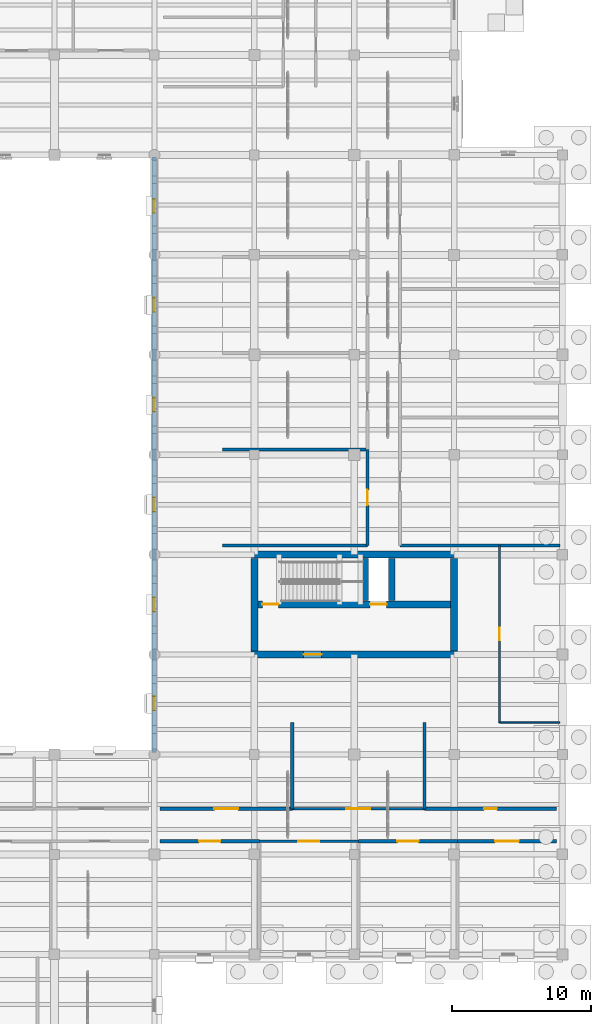
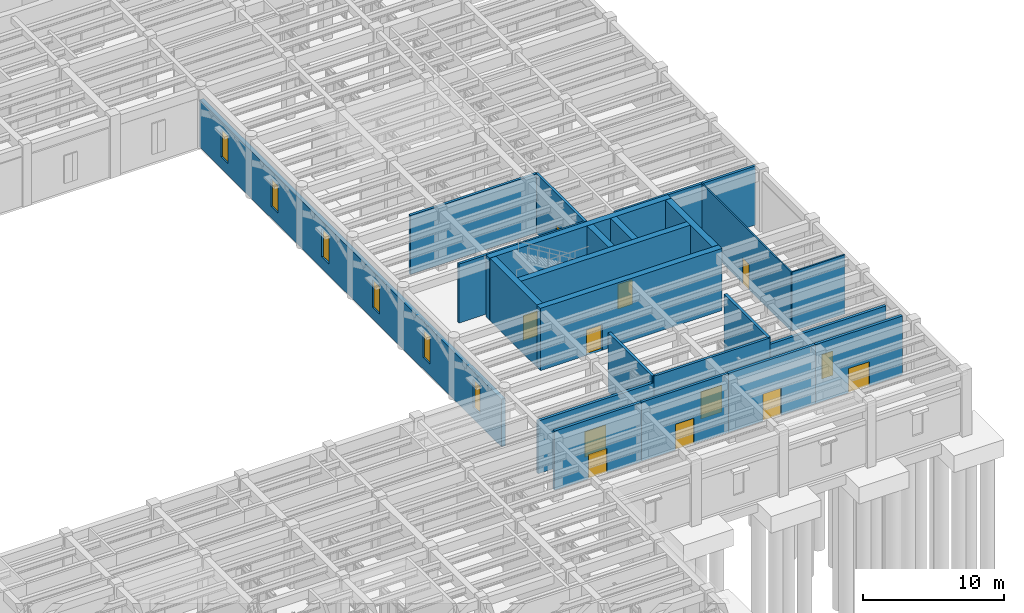
# One storey, part 82 of 100: 23 walls, 12 doors, 6 windows, 18 openings.
"""IFC4 building model written with IfcOpenShell, lengths in metres."""

from ifc_helpers import new_model, si_unit, direction, frame, frame_2d, origin, place, context, subcontext, project, spatial, rectangle, extrude, material, layer, layer_set, type_object, element, fill, save


model = new_model("IFC4")

# Units and contexts
model_context = context("Model", 3, precision=1e-05, world=origin(), true_north=direction((0.0, 1.0)))
body_context = subcontext(model_context, "Body", "Model", "MODEL_VIEW")
ifc_project = project(units=[si_unit("LENGTHUNIT", "METRE"), si_unit("AREAUNIT", "SQUARE_METRE"), si_unit("VOLUMEUNIT", "CUBIC_METRE"), si_unit("PLANEANGLEUNIT", "RADIAN"), si_unit("MASSUNIT", "GRAM", prefix="KILO")], contexts=[model_context])

# Site, building, storey
site_placement = place(None, origin())
site = spatial("IfcSite", under=ifc_project, at=site_placement, CompositionType="ELEMENT")
building_placement = place(site_placement, origin())
building = spatial("IfcBuilding", under=site, at=building_placement, Name="Mithqara Police Headquarters", CompositionType="ELEMENT")
storey_placement = place(building_placement, origin())
storey = spatial("IfcBuildingStorey", under=building, at=storey_placement, Name="L00", CompositionType="ELEMENT", Elevation=0.0)

# Wall, openings, windows
ifc_material_1 = material(Name="Limestone ashlar masonry, 45 MPa", Category="masonry")
ifc_layer_1 = layer(ifc_material_1, 0.320068359375, Name="Limestone ashlar masonry, 45 MPa")
ifc_layer_set_1 = layer_set([ifc_layer_1], Name="Limestone ashlar masonry, 45 MPa")
wall_type_1 = type_object("IfcWallType", Name="EXT WALL LIMESTONE320", PredefinedType="SOLIDWALL", material=ifc_layer_set_1)
wall_1_placement = place(storey_placement, frame((144.60009765625, 78.43994140625, 0.0), z_axis=(0.0, 0.0, 1.0), x_axis=(0.0, -1.0, 0.0)))
wall_1 = element("IfcWall", 1, at=wall_1_placement, inside=storey, type_object=wall_type_1, Name="L00 Exterior Wall 4.1", PredefinedType="SOLIDWALL", context=body_context, shape_type="SweptSolid", body=[
    extrude(rectangle(XDim=42.8798828125, YDim=0.320068359375, at=frame_2d((21.43994140625, 0.0))), origin(), (0.0, 0.0, 1.0), 4.1201171875),
])
opening_1_placement = place(wall_1_placement, frame((38.860107421875, 0.0, 1.0)))
opening_1 = element("IfcOpeningElement", 2, at=opening_1_placement, cuts=wall_1, Name="Opening W-10", PredefinedType="OPENING", context=body_context, shape_type="SweptSolid", body=[
    extrude(rectangle(XDim=1.0, YDim=2.39990234375, at=frame_2d((0.5, 1.199951171875))), frame((0.0, 0.169921875, 0.0), z_axis=(0.0, -1.0, 0.0), x_axis=(1.0, 0.0, 0.0)), (0.0, 0.0, 1.0), 0.340087890625),
])
opening_2_placement = place(wall_1_placement, frame((31.739990234375, 0.0, 1.0)))
opening_2 = element("IfcOpeningElement", 3, at=opening_2_placement, cuts=wall_1, Name="Opening W-10", PredefinedType="OPENING", context=body_context, shape_type="SweptSolid", body=[
    extrude(rectangle(XDim=1.0, YDim=2.39990234375, at=frame_2d((0.5, 1.199951171875))), frame((0.0, 0.169921875, 0.0), z_axis=(0.0, -1.0, 0.0), x_axis=(1.0, 0.0, 0.0)), (0.0, 0.0, 1.0), 0.340087890625),
])
opening_3_placement = place(wall_1_placement, frame((24.5400390625, 0.0, 1.0)))
opening_3 = element("IfcOpeningElement", 4, at=opening_3_placement, cuts=wall_1, Name="Opening W-10", PredefinedType="OPENING", context=body_context, shape_type="SweptSolid", body=[
    extrude(rectangle(XDim=1.0, YDim=2.39990234375, at=frame_2d((0.5, 1.199951171875))), frame((0.0, 0.169921875, 0.0), z_axis=(0.0, -1.0, 0.0), x_axis=(1.0, 0.0, 0.0)), (0.0, 0.0, 1.0), 0.340087890625),
])
opening_4_placement = place(wall_1_placement, frame((17.340087890625, 0.0, 1.0)))
opening_4 = element("IfcOpeningElement", 5, at=opening_4_placement, cuts=wall_1, Name="Opening W-10", PredefinedType="OPENING", context=body_context, shape_type="SweptSolid", body=[
    extrude(rectangle(XDim=1.0, YDim=2.39990234375, at=frame_2d((0.5, 1.199951171875))), frame((0.0, 0.169921875, 0.0), z_axis=(0.0, -1.0, 0.0), x_axis=(1.0, 0.0, 0.0)), (0.0, 0.0, 1.0), 0.340087890625),
])
opening_5_placement = place(wall_1_placement, frame((10.139892578125, 0.0, 1.0)))
opening_5 = element("IfcOpeningElement", 6, at=opening_5_placement, cuts=wall_1, Name="Opening W-10", PredefinedType="OPENING", context=body_context, shape_type="SweptSolid", body=[
    extrude(rectangle(XDim=1.0, YDim=2.39990234375, at=frame_2d((0.5, 1.199951171875))), frame((0.0, 0.169921875, 0.0), z_axis=(0.0, -1.0, 0.0), x_axis=(1.0, 0.0, 0.0)), (0.0, 0.0, 1.0), 0.340087890625),
])
opening_6_placement = place(wall_1_placement, frame((3.02001953125, 0.0, 1.0)))
opening_6 = element("IfcOpeningElement", 7, at=opening_6_placement, cuts=wall_1, Name="Opening W-10", PredefinedType="OPENING", context=body_context, shape_type="SweptSolid", body=[
    extrude(rectangle(XDim=1.0, YDim=2.39990234375, at=frame_2d((0.5, 1.199951171875))), frame((0.0, 0.169921875, 0.0), z_axis=(0.0, -1.0, 0.0), x_axis=(1.0, 0.0, 0.0)), (0.0, 0.0, 1.0), 0.340087890625),
])
ifc_material_2 = material(Name="Spectrally selective double low-e glass", Category="glass")
window_type = type_object("IfcWindowType", Name="WINDOW 1000X2400", PartitioningType="SINGLE_PANEL", PredefinedType="WINDOW", material=ifc_material_2)
window_1_placement = place(opening_1_placement, origin())
window_1 = element("IfcWindow", 8, at=window_1_placement, inside=storey, type_object=window_type, Name="L00 Deep-Set Punched Window 4.1", OverallHeight=2.39990234375, OverallWidth=1.0, PartitioningType="SINGLE_PANEL", PredefinedType="WINDOW", context=body_context, shape_type="SweptSolid", body=[
    extrude(rectangle(XDim=1.0, YDim=2.39990234375, at=frame_2d((0.5, 1.199951171875))), frame((0.0, 0.030029296875, 0.0), z_axis=(0.0, -1.0, 0.0), x_axis=(1.0, 0.0, 0.0)), (0.0, 0.0, 1.0), 0.06005859375),
])
fill(opening_1, window_1)
window_2_placement = place(opening_2_placement, origin())
window_2 = element("IfcWindow", 9, at=window_2_placement, inside=storey, type_object=window_type, Name="L00 Deep-Set Punched Window 4.2", OverallHeight=2.39990234375, OverallWidth=1.0, PartitioningType="SINGLE_PANEL", PredefinedType="WINDOW", context=body_context, shape_type="SweptSolid", body=[
    extrude(rectangle(XDim=1.0, YDim=2.39990234375, at=frame_2d((0.5, 1.199951171875))), frame((0.0, 0.030029296875, 0.0), z_axis=(0.0, -1.0, 0.0), x_axis=(1.0, 0.0, 0.0)), (0.0, 0.0, 1.0), 0.06005859375),
])
fill(opening_2, window_2)
window_3_placement = place(opening_3_placement, origin())
window_3 = element("IfcWindow", 10, at=window_3_placement, inside=storey, type_object=window_type, Name="L00 Deep-Set Punched Window 4.3", OverallHeight=2.39990234375, OverallWidth=1.0, PartitioningType="SINGLE_PANEL", PredefinedType="WINDOW", context=body_context, shape_type="SweptSolid", body=[
    extrude(rectangle(XDim=1.0, YDim=2.39990234375, at=frame_2d((0.5, 1.199951171875))), frame((0.0, 0.030029296875, 0.0), z_axis=(0.0, -1.0, 0.0), x_axis=(1.0, 0.0, 0.0)), (0.0, 0.0, 1.0), 0.06005859375),
])
fill(opening_3, window_3)
window_4_placement = place(opening_4_placement, origin())
window_4 = element("IfcWindow", 11, at=window_4_placement, inside=storey, type_object=window_type, Name="L00 Deep-Set Punched Window 4.4", OverallHeight=2.39990234375, OverallWidth=1.0, PartitioningType="SINGLE_PANEL", PredefinedType="WINDOW", context=body_context, shape_type="SweptSolid", body=[
    extrude(rectangle(XDim=1.0, YDim=2.39990234375, at=frame_2d((0.5, 1.199951171875))), frame((0.0, 0.030029296875, 0.0), z_axis=(0.0, -1.0, 0.0), x_axis=(1.0, 0.0, 0.0)), (0.0, 0.0, 1.0), 0.06005859375),
])
fill(opening_4, window_4)
window_5_placement = place(opening_5_placement, origin())
window_5 = element("IfcWindow", 12, at=window_5_placement, inside=storey, type_object=window_type, Name="L00 Deep-Set Punched Window 4.5", OverallHeight=2.39990234375, OverallWidth=1.0, PartitioningType="SINGLE_PANEL", PredefinedType="WINDOW", context=body_context, shape_type="SweptSolid", body=[
    extrude(rectangle(XDim=1.0, YDim=2.39990234375, at=frame_2d((0.5, 1.199951171875))), frame((0.0, 0.030029296875, 0.0), z_axis=(0.0, -1.0, 0.0), x_axis=(1.0, 0.0, 0.0)), (0.0, 0.0, 1.0), 0.06005859375),
])
fill(opening_5, window_5)
window_6_placement = place(opening_6_placement, origin())
window_6 = element("IfcWindow", 13, at=window_6_placement, inside=storey, type_object=window_type, Name="L00 Deep-Set Punched Window 4.6", OverallHeight=2.39990234375, OverallWidth=1.0, PartitioningType="SINGLE_PANEL", PredefinedType="WINDOW", context=body_context, shape_type="SweptSolid", body=[
    extrude(rectangle(XDim=1.0, YDim=2.39990234375, at=frame_2d((0.5, 1.199951171875))), frame((0.0, 0.030029296875, 0.0), z_axis=(0.0, -1.0, 0.0), x_axis=(1.0, 0.0, 0.0)), (0.0, 0.0, 1.0), 0.06005859375),
])
fill(opening_6, window_6)

# Wall
ifc_material_3 = material(Name="Gypsum acoustic stud partition", Category="gypsum")
ifc_layer_2 = layer(ifc_material_3, 0.1201171875, Name="Gypsum acoustic stud partition")
ifc_layer_set_2 = layer_set([ifc_layer_2], Name="Gypsum acoustic stud partition")
wall_type_2 = type_object("IfcWallType", Name="PART WALL 120", PredefinedType="PARTITIONING", material=ifc_layer_set_2)
wall_2_placement = place(storey_placement, frame((169.469970703125, 37.699951171875, 0.0), z_axis=(0.0, 0.0, 1.0), x_axis=(1.0, 0.0, 0.0)))
element("IfcWall", 14, at=wall_2_placement, inside=storey, type_object=wall_type_2, Name="L00 Partition End Closure E0", PredefinedType="PARTITIONING", context=body_context, shape_type="SweptSolid", body=[
    extrude(rectangle(XDim=4.35009765625, YDim=0.1201171875, at=frame_2d((2.175048828125, 0.0))), origin(), (0.0, 0.0, 1.0), 5.1201171875),
])

# Wall, opening, door
wall_3_placement = place(storey_placement, frame((169.469970703125, 37.699951171875, 0.0), z_axis=(0.0, 0.0, 1.0), x_axis=(0.0, 1.0, 0.0)))
wall_3 = element("IfcWall", 15, at=wall_3_placement, inside=storey, type_object=wall_type_2, Name="L00 Corridor Wall Forensic Evidence Intake", PredefinedType="PARTITIONING", context=body_context, shape_type="SweptSolid", body=[
    extrude(rectangle(XDim=12.75, YDim=0.1201171875, at=frame_2d((6.375, 0.0))), origin(), (0.0, 0.0, 1.0), 5.1201171875),
])
opening_7_placement = place(wall_3_placement, frame((5.9150390625, 0.0, 0.0)))
opening_7 = element("IfcOpeningElement", 16, at=opening_7_placement, cuts=wall_3, Name="Opening D-02", PredefinedType="OPENING", context=body_context, shape_type="SweptSolid", body=[
    extrude(rectangle(XDim=0.919921875, YDim=2.219970703125, at=frame_2d((0.4599609375, 1.10986328125))), frame((0.0, 0.070068359375, 0.0), z_axis=(0.0, -1.0, 0.0), x_axis=(1.0, 0.0, 0.0)), (0.0, 0.0, 1.0), 0.14013671875),
])
ifc_material_4 = material(Name="Acoustic solid-core timber leaf", Category="wood")
door_type_1 = type_object("IfcDoorType", Name="INT DOOR 920X2220", OperationType="NOTDEFINED", PredefinedType="DOOR", material=ifc_material_4)
door_1_placement = place(opening_7_placement, origin())
door_1 = element("IfcDoor", 17, at=door_1_placement, inside=storey, type_object=door_type_1, Name="Forensic Evidence Intake Entry Door", OperationType="SINGLE_SWING_LEFT", OverallHeight=2.219970703125, OverallWidth=0.919921875, PredefinedType="DOOR", context=body_context, shape_type="SweptSolid", body=[
    extrude(rectangle(XDim=0.919921875, YDim=2.219970703125, at=frame_2d((0.4599609375, 1.10986328125))), frame((0.0, 0.02490234375, 0.0), z_axis=(0.0, -1.0, 0.0), x_axis=(1.0, 0.0, 0.0)), (0.0, 0.0, 1.0), 0.050048828125),
])
fill(opening_7, door_1)

# Wall
ifc_material_5 = material(Name="Concrete C40/50", Category="concrete")
ifc_layer_3 = layer(ifc_material_5, 0.2099609375, Name="Concrete C40/50")
ifc_layer_set_3 = layer_set([ifc_layer_3], Name="Concrete C40/50")
wall_type_3 = type_object("IfcWallType", Name="PART WALL 210", PredefinedType="PARTITIONING", material=ifc_layer_set_3)
wall_4_placement = place(storey_placement, frame((149.5, 50.449951171875, 0.0), z_axis=(0.0, 0.0, 1.0), x_axis=(1.0, 0.0, 0.0)))
element("IfcWall", 18, at=wall_4_placement, inside=storey, type_object=wall_type_3, Name="L00 Partition End Closure E0", PredefinedType="PARTITIONING", context=body_context, shape_type="SweptSolid", body=[
    extrude(rectangle(XDim=10.449951171875, YDim=0.2099609375, at=frame_2d((5.22509765625, 0.0))), origin(), (0.0, 0.0, 1.0), 5.1201171875),
])

# Wall, opening, door
wall_5_placement = place(storey_placement, frame((159.949951171875, 50.449951171875, 0.0), z_axis=(0.0, 0.0, 1.0), x_axis=(0.0, 1.0, 0.0)))
wall_5 = element("IfcWall", 19, at=wall_5_placement, inside=storey, type_object=wall_type_3, Name="L00 Corridor Wall Forensic Evidence Intake", PredefinedType="PARTITIONING", context=body_context, shape_type="SweptSolid", body=[
    extrude(rectangle(XDim=6.93310546875, YDim=0.2099609375, at=frame_2d((3.466552734375, 0.0))), origin(), (0.0, 0.0, 1.0), 5.1201171875),
])
opening_8_placement = place(wall_5_placement, frame((2.91650390625, 0.0, 0.0)))
opening_8 = element("IfcOpeningElement", 20, at=opening_8_placement, cuts=wall_5, Name="Opening D-12", PredefinedType="OPENING", context=body_context, shape_type="SweptSolid", body=[
    extrude(rectangle(XDim=1.10009765625, YDim=2.35009765625, at=frame_2d((0.550048828125, 1.175048828125))), frame((0.0, 0.114990234375, 0.0), z_axis=(0.0, -1.0, 0.0), x_axis=(1.0, 0.0, 0.0)), (0.0, 0.0, 1.0), 0.22998046875),
])
door_type_2 = type_object("IfcDoorType", Name="INT DOOR 1100X2350", OperationType="NOTDEFINED", PredefinedType="DOOR", material=ifc_material_4)
door_2_placement = place(opening_8_placement, frame((1.10009765625, 0.0, 0.0), z_axis=(0.0, 0.0, 1.0), x_axis=(-1.0, 0.0, 0.0)))
door_2 = element("IfcDoor", 21, at=door_2_placement, inside=storey, type_object=door_type_2, Name="Forensic Evidence Intake Entry Door", OperationType="SINGLE_SWING_LEFT", OverallHeight=2.35009765625, OverallWidth=1.10009765625, PredefinedType="DOOR", context=body_context, shape_type="SweptSolid", body=[
    extrude(rectangle(XDim=1.10009765625, YDim=2.35009765625, at=frame_2d((0.550048828125, 1.175048828125))), frame((0.0, 0.02490234375, 0.0), z_axis=(0.0, -1.0, 0.0), x_axis=(1.0, 0.0, 0.0)), (0.0, 0.0, 1.0), 0.050048828125),
])
fill(opening_8, door_2)

# Walls
wall_6_placement = place(storey_placement, frame((149.5, 57.383056640625, 0.0), z_axis=(0.0, 0.0, 1.0), x_axis=(1.0, 0.0, 0.0)))
element("IfcWall", 22, at=wall_6_placement, inside=storey, type_object=wall_type_3, Name="L00 Room Partition Forensic Evidence Intake", PredefinedType="PARTITIONING", context=body_context, shape_type="SweptSolid", body=[
    extrude(rectangle(XDim=10.449951171875, YDim=0.2099609375, at=frame_2d((5.22509765625, 0.0))), origin(), (0.0, 0.0, 1.0), 5.1201171875),
])
wall_7_placement = place(storey_placement, frame((162.2900390625, 50.449951171875, 0.0), z_axis=(0.0, 0.0, 1.0), x_axis=(1.0, 0.0, 0.0)))
element("IfcWall", 23, at=wall_7_placement, inside=storey, type_object=wall_type_3, Name="L00 Partition End Closure E0", PredefinedType="PARTITIONING", context=body_context, shape_type="SweptSolid", body=[
    extrude(rectangle(XDim=11.530029296875, YDim=0.2099609375, at=frame_2d((5.76513671875, 0.0))), origin(), (0.0, 0.0, 1.0), 5.1201171875),
])

# Wall, opening, door
wall_8_placement = place(storey_placement, frame((152.159912109375, 29.14990234375, 0.0), z_axis=(0.0, 0.0, 1.0), x_axis=(1.0, 0.0, 0.0)))
wall_8 = element("IfcWall", 24, at=wall_8_placement, inside=storey, type_object=wall_type_3, Name="L00 Corridor Wall Chain of Custody Vault", PredefinedType="PARTITIONING", context=body_context, shape_type="SweptSolid", body=[
    extrude(rectangle(XDim=7.14013671875, YDim=0.2099609375, at=frame_2d((3.570068359375, 0.0))), origin(), (0.0, 0.0, 1.0), 5.1201171875),
])
opening_9_placement = place(wall_8_placement, frame((2.81005859375, 0.0, 0.0)))
opening_9 = element("IfcOpeningElement", 25, at=opening_9_placement, cuts=wall_8, Name="Opening D-20", PredefinedType="OPENING", context=body_context, shape_type="SweptSolid", body=[
    extrude(rectangle(XDim=1.52001953125, YDim=2.219970703125, at=frame_2d((0.760009765625, 1.10986328125))), frame((0.0, 0.114990234375, 0.0), z_axis=(0.0, -1.0, 0.0), x_axis=(1.0, 0.0, 0.0)), (0.0, 0.0, 1.0), 0.22998046875),
])
ifc_material_6 = material(Name="Bronze anodised aluminium 6063-T6", Category="aluminium")
door_type_3 = type_object("IfcDoorType", Name="INT DOOR 1520X2220", OperationType="NOTDEFINED", PredefinedType="DOOR", material=ifc_material_6)
door_3_placement = place(opening_9_placement, frame((1.52001953125, 0.0, 0.0), z_axis=(0.0, 0.0, 1.0), x_axis=(-1.0, 0.0, 0.0)))
door_3 = element("IfcDoor", 26, at=door_3_placement, inside=storey, type_object=door_type_3, Name="Chain of Custody Vault Entry Door", OperationType="DOUBLE_DOOR_SINGLE_SWING", OverallHeight=2.219970703125, OverallWidth=1.52001953125, PredefinedType="DOOR", context=body_context, shape_type="SweptSolid", body=[
    extrude(rectangle(XDim=1.52001953125, YDim=2.219970703125, at=frame_2d((0.760009765625, 1.10986328125))), frame((0.0, 0.02490234375, 0.0), z_axis=(0.0, -1.0, 0.0), x_axis=(1.0, 0.0, 0.0)), (0.0, 0.0, 1.0), 0.050048828125),
])
fill(opening_9, door_3)

wall_9_placement = place(storey_placement, frame((154.5400390625, 31.489990234375, 0.0), z_axis=(0.0, 0.0, 1.0), x_axis=(1.0, 0.0, 0.0)))
wall_9 = element("IfcWall", 27, at=wall_9_placement, inside=storey, type_object=wall_type_3, Name="L00 Corridor Wall Chain of Custody Vault", PredefinedType="PARTITIONING", context=body_context, shape_type="SweptSolid", body=[
    extrude(rectangle(XDim=9.52001953125, YDim=0.2099609375, at=frame_2d((4.760009765625, 0.0))), origin(), (0.0, 0.0, 1.0), 5.1201171875),
])
opening_10_placement = place(wall_9_placement, frame((3.89990234375, 0.0, 0.0)))
opening_10 = element("IfcOpeningElement", 28, at=opening_10_placement, cuts=wall_9, Name="Opening D-24", PredefinedType="OPENING", context=body_context, shape_type="SweptSolid", body=[
    extrude(rectangle(XDim=1.719970703125, YDim=2.35009765625, at=frame_2d((0.85986328125, 1.175048828125))), frame((0.0, 0.114990234375, 0.0), z_axis=(0.0, -1.0, 0.0), x_axis=(1.0, 0.0, 0.0)), (0.0, 0.0, 1.0), 0.22998046875),
])
door_type_4 = type_object("IfcDoorType", Name="INT DOOR 1720X2350", OperationType="NOTDEFINED", PredefinedType="DOOR", material=ifc_material_6)
door_4_placement = place(opening_10_placement, origin())
door_4 = element("IfcDoor", 29, at=door_4_placement, inside=storey, type_object=door_type_4, Name="Chain of Custody Vault Entry Door", OperationType="DOUBLE_DOOR_SINGLE_SWING", OverallHeight=2.35009765625, OverallWidth=1.719970703125, PredefinedType="DOOR", context=body_context, shape_type="SweptSolid", body=[
    extrude(rectangle(XDim=1.719970703125, YDim=2.35009765625, at=frame_2d((0.85986328125, 1.175048828125))), frame((0.0, 0.02490234375, 0.0), z_axis=(0.0, -1.0, 0.0), x_axis=(1.0, 0.0, 0.0)), (0.0, 0.0, 1.0), 0.050048828125),
])
fill(opening_10, door_4)

ifc_layer_4 = layer(ifc_material_5, 0.22998046875, Name="Concrete C40/50")
ifc_layer_set_4 = layer_set([ifc_layer_4], Name="Concrete C40/50")
wall_type_4 = type_object("IfcWallType", Name="PART WALL 230", PredefinedType="PARTITIONING", material=ifc_layer_set_4)
wall_10_placement = place(storey_placement, frame((145.02001953125, 29.14990234375, 0.0), z_axis=(0.0, 0.0, 1.0), x_axis=(1.0, 0.0, 0.0)))
wall_10 = element("IfcWall", 30, at=wall_10_placement, inside=storey, type_object=wall_type_4, Name="L00 Corridor Wall Forensic Evidence Intake", PredefinedType="PARTITIONING", context=body_context, shape_type="SweptSolid", body=[
    extrude(rectangle(XDim=7.139892578125, YDim=0.22998046875, at=frame_2d((3.56982421875, 0.0))), origin(), (0.0, 0.0, 1.0), 5.1201171875),
])
opening_11_placement = place(wall_10_placement, frame((2.81005859375, 0.0, 0.0)))
opening_11 = element("IfcOpeningElement", 31, at=opening_11_placement, cuts=wall_10, Name="Opening D-19", PredefinedType="OPENING", context=body_context, shape_type="SweptSolid", body=[
    extrude(rectangle(XDim=1.52001953125, YDim=2.10009765625, at=frame_2d((0.760009765625, 1.050048828125))), frame((0.0, 0.125, 0.0), z_axis=(0.0, -1.0, 0.0), x_axis=(1.0, 0.0, 0.0)), (0.0, 0.0, 1.0), 0.25),
])
door_type_5 = type_object("IfcDoorType", Name="INT DOOR 1520X2100", OperationType="NOTDEFINED", PredefinedType="DOOR", material=ifc_material_6)
door_5_placement = place(opening_11_placement, frame((1.52001953125, 0.0, 0.0), z_axis=(0.0, 0.0, 1.0), x_axis=(-1.0, 0.0, 0.0)))
door_5 = element("IfcDoor", 32, at=door_5_placement, inside=storey, type_object=door_type_5, Name="Forensic Evidence Intake Entry Door", OperationType="DOUBLE_DOOR_SINGLE_SWING", OverallHeight=2.10009765625, OverallWidth=1.52001953125, PredefinedType="DOOR", context=body_context, shape_type="SweptSolid", body=[
    extrude(rectangle(XDim=1.52001953125, YDim=2.10009765625, at=frame_2d((0.760009765625, 1.050048828125))), frame((0.0, 0.02490234375, 0.0), z_axis=(0.0, -1.0, 0.0), x_axis=(1.0, 0.0, 0.0)), (0.0, 0.0, 1.0), 0.050048828125),
])
fill(opening_11, door_5)

wall_11_placement = place(storey_placement, frame((159.300048828125, 29.14990234375, 0.0), z_axis=(0.0, 0.0, 1.0), x_axis=(1.0, 0.0, 0.0)))
wall_11 = element("IfcWall", 33, at=wall_11_placement, inside=storey, type_object=wall_type_4, Name="L00 Corridor Wall Crime Scene Kit Preparation Room", PredefinedType="PARTITIONING", context=body_context, shape_type="SweptSolid", body=[
    extrude(rectangle(XDim=7.139892578125, YDim=0.22998046875, at=frame_2d((3.56982421875, 0.0))), origin(), (0.0, 0.0, 1.0), 5.1201171875),
])
opening_12_placement = place(wall_11_placement, frame((2.81005859375, 0.0, 0.0)))
opening_12 = element("IfcOpeningElement", 34, at=opening_12_placement, cuts=wall_11, Name="Opening D-21", PredefinedType="OPENING", context=body_context, shape_type="SweptSolid", body=[
    extrude(rectangle(XDim=1.52001953125, YDim=2.35009765625, at=frame_2d((0.760009765625, 1.175048828125))), frame((0.0, 0.125, 0.0), z_axis=(0.0, -1.0, 0.0), x_axis=(1.0, 0.0, 0.0)), (0.0, 0.0, 1.0), 0.25),
])
door_type_6 = type_object("IfcDoorType", Name="INT DOOR 1520X2350", OperationType="NOTDEFINED", PredefinedType="DOOR", material=ifc_material_6)
door_6_placement = place(opening_12_placement, frame((1.52001953125, 0.0, 0.0), z_axis=(0.0, 0.0, 1.0), x_axis=(-1.0, 0.0, 0.0)))
door_6 = element("IfcDoor", 35, at=door_6_placement, inside=storey, type_object=door_type_6, Name="Crime Scene Kit Preparation Room Entry Door", OperationType="DOUBLE_DOOR_SINGLE_SWING", OverallHeight=2.35009765625, OverallWidth=1.52001953125, PredefinedType="DOOR", context=body_context, shape_type="SweptSolid", body=[
    extrude(rectangle(XDim=1.52001953125, YDim=2.35009765625, at=frame_2d((0.760009765625, 1.175048828125))), frame((0.0, 0.02490234375, 0.0), z_axis=(0.0, -1.0, 0.0), x_axis=(1.0, 0.0, 0.0)), (0.0, 0.0, 1.0), 0.050048828125),
])
fill(opening_12, door_6)

wall_12_placement = place(storey_placement, frame((166.43994140625, 29.14990234375, 0.0), z_axis=(0.0, 0.0, 1.0), x_axis=(1.0, 0.0, 0.0)))
wall_12 = element("IfcWall", 36, at=wall_12_placement, inside=storey, type_object=wall_type_4, Name="L00 Corridor Wall Triage Laboratory", PredefinedType="PARTITIONING", context=body_context, shape_type="SweptSolid", body=[
    extrude(rectangle(XDim=7.14013671875, YDim=0.22998046875, at=frame_2d((3.570068359375, 0.0))), origin(), (0.0, 0.0, 1.0), 5.1201171875),
])
opening_13_placement = place(wall_12_placement, frame((2.7099609375, 0.0, 0.0)))
opening_13 = element("IfcOpeningElement", 37, at=opening_13_placement, cuts=wall_12, Name="Opening D-22", PredefinedType="OPENING", context=body_context, shape_type="SweptSolid", body=[
    extrude(rectangle(XDim=1.719970703125, YDim=2.10009765625, at=frame_2d((0.85986328125, 1.050048828125))), frame((0.0, 0.125, 0.0), z_axis=(0.0, -1.0, 0.0), x_axis=(1.0, 0.0, 0.0)), (0.0, 0.0, 1.0), 0.25),
])
door_type_7 = type_object("IfcDoorType", Name="INT DOOR 1720X2100", OperationType="NOTDEFINED", PredefinedType="DOOR", material=ifc_material_6)
door_7_placement = place(opening_13_placement, frame((1.719970703125, 0.0, 0.0), z_axis=(0.0, 0.0, 1.0), x_axis=(-1.0, 0.0, 0.0)))
door_7 = element("IfcDoor", 38, at=door_7_placement, inside=storey, type_object=door_type_7, Name="Triage Laboratory Entry Door", OperationType="DOUBLE_DOOR_SINGLE_SWING", OverallHeight=2.10009765625, OverallWidth=1.719970703125, PredefinedType="DOOR", context=body_context, shape_type="SweptSolid", body=[
    extrude(rectangle(XDim=1.719970703125, YDim=2.10009765625, at=frame_2d((0.85986328125, 1.050048828125))), frame((0.0, 0.02490234375, 0.0), z_axis=(0.0, -1.0, 0.0), x_axis=(1.0, 0.0, 0.0)), (0.0, 0.0, 1.0), 0.050048828125),
])
fill(opening_13, door_7)

wall_13_placement = place(storey_placement, frame((145.02001953125, 31.489990234375, 0.0), z_axis=(0.0, 0.0, 1.0), x_axis=(1.0, 0.0, 0.0)))
wall_13 = element("IfcWall", 39, at=wall_13_placement, inside=storey, type_object=wall_type_4, Name="L00 Corridor Wall Forensic Evidence Intake", PredefinedType="PARTITIONING", context=body_context, shape_type="SweptSolid", body=[
    extrude(rectangle(XDim=9.52001953125, YDim=0.22998046875, at=frame_2d((4.760009765625, 0.0))), origin(), (0.0, 0.0, 1.0), 4.570068359375),
])
opening_14_placement = place(wall_13_placement, frame((3.89990234375, 0.0, 0.0)))
opening_14 = element("IfcOpeningElement", 40, at=opening_14_placement, cuts=wall_13, Name="Opening D-23", PredefinedType="OPENING", context=body_context, shape_type="SweptSolid", body=[
    extrude(rectangle(XDim=1.719970703125, YDim=2.219970703125, at=frame_2d((0.85986328125, 1.10986328125))), frame((0.0, 0.125, 0.0), z_axis=(0.0, -1.0, 0.0), x_axis=(1.0, 0.0, 0.0)), (0.0, 0.0, 1.0), 0.25),
])
door_type_8 = type_object("IfcDoorType", Name="INT DOOR 1720X2220", OperationType="NOTDEFINED", PredefinedType="DOOR", material=ifc_material_6)
door_8_placement = place(opening_14_placement, origin())
door_8 = element("IfcDoor", 41, at=door_8_placement, inside=storey, type_object=door_type_8, Name="Forensic Evidence Intake Entry Door", OperationType="DOUBLE_DOOR_SINGLE_SWING", OverallHeight=2.219970703125, OverallWidth=1.719970703125, PredefinedType="DOOR", context=body_context, shape_type="SweptSolid", body=[
    extrude(rectangle(XDim=1.719970703125, YDim=2.219970703125, at=frame_2d((0.85986328125, 1.10986328125))), frame((0.0, 0.02490234375, 0.0), z_axis=(0.0, -1.0, 0.0), x_axis=(1.0, 0.0, 0.0)), (0.0, 0.0, 1.0), 0.050048828125),
])
fill(opening_14, door_8)

# Walls
for number, where, z_axis, x_axis, name in (
    (42, (154.5400390625, 31.489990234375, 0.0), (0.0, 0.0, 1.0), (0.0, 1.0, 0.0), "L00 Room Partition Forensic Evidence Intake"),
    (43, (164.06005859375, 31.489990234375, 0.0), (0.0, 0.0, 1.0), (0.0, 1.0, 0.0), "L00 Room Partition Chain of Custody Vault"),
):
    element("IfcWall", number, at=place(storey_placement, frame(where, z_axis=z_axis, x_axis=x_axis)), inside=storey, type_object=wall_type_4, Name=name, PredefinedType="PARTITIONING", context=body_context, shape_type="SweptSolid", body=[
        extrude(rectangle(XDim=6.2099609375, YDim=0.22998046875, at=frame_2d((3.10498046875, 0.0))), origin(), (0.0, 0.0, 1.0), 5.1201171875),
    ])

# Wall, opening, door
wall_14_placement = place(storey_placement, frame((164.06005859375, 31.489990234375, 0.0), z_axis=(0.0, 0.0, 1.0), x_axis=(1.0, 0.0, 0.0)))
wall_14 = element("IfcWall", 44, at=wall_14_placement, inside=storey, type_object=wall_type_4, Name="L00 Corridor Wall Crime Scene Kit Preparation Room", PredefinedType="PARTITIONING", context=body_context, shape_type="SweptSolid", body=[
    extrude(rectangle(XDim=9.52001953125, YDim=0.22998046875, at=frame_2d((4.760009765625, 0.0))), origin(), (0.0, 0.0, 1.0), 4.570068359375),
])
opening_15_placement = place(wall_14_placement, frame((4.300048828125, 0.0, 0.0)))
opening_15 = element("IfcOpeningElement", 45, at=opening_15_placement, cuts=wall_14, Name="Opening D-01", PredefinedType="OPENING", context=body_context, shape_type="SweptSolid", body=[
    extrude(rectangle(XDim=0.919921875, YDim=2.10009765625, at=frame_2d((0.4599609375, 1.050048828125))), frame((0.0, 0.125, 0.0), z_axis=(0.0, -1.0, 0.0), x_axis=(1.0, 0.0, 0.0)), (0.0, 0.0, 1.0), 0.25),
])
door_type_9 = type_object("IfcDoorType", Name="INT DOOR 920X2100", OperationType="NOTDEFINED", PredefinedType="DOOR", material=ifc_material_4)
door_9_placement = place(opening_15_placement, origin())
door_9 = element("IfcDoor", 46, at=door_9_placement, inside=storey, type_object=door_type_9, Name="Crime Scene Kit Preparation Room Entry Door", OperationType="SINGLE_SWING_RIGHT", OverallHeight=2.10009765625, OverallWidth=0.919921875, PredefinedType="DOOR", context=body_context, shape_type="SweptSolid", body=[
    extrude(rectangle(XDim=0.919921875, YDim=2.10009765625, at=frame_2d((0.4599609375, 1.050048828125))), frame((0.0, 0.02490234375, 0.0), z_axis=(0.0, -1.0, 0.0), x_axis=(1.0, 0.0, 0.0)), (0.0, 0.0, 1.0), 0.050048828125),
])
fill(opening_15, door_9)

# Wall
ifc_material_7 = material(Name="Concrete C50/60", Category="concrete")
ifc_layer_5 = layer(ifc_material_7, 0.5, Name="Concrete C50/60")
ifc_layer_set_5 = layer_set([ifc_layer_5], Name="Concrete C50/60")
wall_type_5 = type_object("IfcWallType", Name="SHEAR WALL 500", PredefinedType="SHEAR", material=ifc_layer_set_5)
wall_15_placement = place(storey_placement, frame((151.550048828125, 49.800048828125, 0.0), z_axis=(0.0, 0.0, 1.0), x_axis=(1.0, 0.0, 0.0)))
element("IfcWall", 47, at=wall_15_placement, inside=storey, type_object=wall_type_5, Name="Core C4 Forensics East Shear Wall N", PredefinedType="SHEAR", context=body_context, shape_type="SweptSolid", body=[
    extrude(rectangle(XDim=14.89990234375, YDim=0.5, at=frame_2d((7.449951171875, 0.0))), origin(), (0.0, 0.0, 1.0), 5.39990234375),
])

# Wall, opening, door
wall_16_placement = place(storey_placement, frame((151.550048828125, 42.60009765625, 0.0), z_axis=(0.0, 0.0, 1.0), x_axis=(1.0, 0.0, 0.0)))
wall_16 = element("IfcWall", 48, at=wall_16_placement, inside=storey, type_object=wall_type_5, Name="Core C4 Forensics East Shear Wall S", PredefinedType="SHEAR", context=body_context, shape_type="SweptSolid", body=[
    extrude(rectangle(XDim=14.89990234375, YDim=0.5, at=frame_2d((7.449951171875, 0.0))), origin(), (0.0, 0.0, 1.0), 5.39990234375),
])
opening_16_placement = place(wall_16_placement, frame((3.800048828125, 0.0, 0.0)))
opening_16 = element("IfcOpeningElement", 49, at=opening_16_placement, cuts=wall_16, Name="Opening FD-02", PredefinedType="OPENING", context=body_context, shape_type="SweptSolid", body=[
    extrude(rectangle(XDim=1.300048828125, YDim=2.199951171875, at=frame_2d((0.64990234375, 1.10009765625))), frame((0.0, 0.260009765625, 0.0), z_axis=(0.0, -1.0, 0.0), x_axis=(1.0, 0.0, 0.0)), (0.0, 0.0, 1.0), 0.52001953125),
])
ifc_material_8 = material(Name="Steel S355JR", Category="steel")
door_type_10 = type_object("IfcDoorType", Name="CORE DOOR LOBBY 1300X2200", OperationType="NOTDEFINED", PredefinedType="DOOR", material=ifc_material_8)
door_10_placement = place(opening_16_placement, frame((1.300048828125, 0.0, 0.0), z_axis=(0.0, 0.0, 1.0), x_axis=(-1.0, 0.0, 0.0)))
door_10 = element("IfcDoor", 50, at=door_10_placement, inside=storey, type_object=door_type_10, Name="Core C4 Forensics East Lobby Fire Door L00", OperationType="SINGLE_SWING_RIGHT", OverallHeight=2.199951171875, OverallWidth=1.300048828125, PredefinedType="DOOR", context=body_context, shape_type="SweptSolid", body=[
    extrude(rectangle(XDim=1.300048828125, YDim=2.199951171875, at=frame_2d((0.64990234375, 1.10009765625))), frame((0.0, 0.02490234375, 0.0), z_axis=(0.0, -1.0, 0.0), x_axis=(1.0, 0.0, 0.0)), (0.0, 0.0, 1.0), 0.050048828125),
])
fill(opening_16, door_10)

# Walls
for number, where, z_axis, x_axis, name in (
    (51, (151.800048828125, 42.860107421875, 0.0), (0.0, 0.0, 1.0), (0.0, 1.0, 0.0), "Core C4 Forensics East Shear Wall W"),
    (52, (166.199951171875, 42.860107421875, 0.0), (0.0, 0.0, 1.0), (0.0, 1.0, 0.0), "Core C4 Forensics East Shear Wall E"),
):
    element("IfcWall", number, at=place(storey_placement, frame(where, z_axis=z_axis, x_axis=x_axis)), inside=storey, type_object=wall_type_5, Name=name, PredefinedType="SHEAR", context=body_context, shape_type="SweptSolid", body=[
        extrude(rectangle(XDim=6.679931640625, YDim=0.5, at=frame_2d((3.33984375, 0.0))), origin(), (0.0, 0.0, 1.0), 5.39990234375),
    ])

# Wall, openings, doors
wall_17_placement = place(storey_placement, frame((152.06005859375, 46.219970703125, 0.0), z_axis=(0.0, 0.0, 1.0), x_axis=(1.0, 0.0, 0.0)))
wall_17 = element("IfcWall", 53, at=wall_17_placement, inside=storey, type_object=wall_type_5, Name="Core C4 Forensics East Shear Wall M", PredefinedType="SHEAR", context=body_context, shape_type="SweptSolid", body=[
    extrude(rectangle(XDim=13.8798828125, YDim=0.5, at=frame_2d((6.93994140625, 0.0))), origin(), (0.0, 0.0, 1.0), 5.39990234375),
])
opening_17_placement = place(wall_17_placement, frame((8.080078125, 0.0, 0.0)))
opening_17 = element("IfcOpeningElement", 54, at=opening_17_placement, cuts=wall_17, Name="Opening LD-02", PredefinedType="OPENING", context=body_context, shape_type="SweptSolid", body=[
    extrude(rectangle(XDim=1.199951171875, YDim=2.14990234375, at=frame_2d((0.60009765625, 1.074951171875))), frame((0.0, 0.260009765625, 0.0), z_axis=(0.0, -1.0, 0.0), x_axis=(1.0, 0.0, 0.0)), (0.0, 0.0, 1.0), 0.52001953125),
])
opening_18_placement = place(wall_17_placement, frame((0.31494140625, 0.0, 0.0)))
opening_18 = element("IfcOpeningElement", 55, at=opening_18_placement, cuts=wall_17, Name="Opening FD-01", PredefinedType="OPENING", context=body_context, shape_type="SweptSolid", body=[
    extrude(rectangle(XDim=1.14990234375, YDim=2.14990234375, at=frame_2d((0.574951171875, 1.074951171875))), frame((0.0, 0.260009765625, 0.0), z_axis=(0.0, -1.0, 0.0), x_axis=(1.0, 0.0, 0.0)), (0.0, 0.0, 1.0), 0.52001953125),
])
door_type_11 = type_object("IfcDoorType", Name="CORE DOOR STAIR 1150X2150", OperationType="NOTDEFINED", PredefinedType="DOOR", material=ifc_material_8)
door_11_placement = place(opening_18_placement, origin())
door_11 = element("IfcDoor", 56, at=door_11_placement, inside=storey, type_object=door_type_11, Name="Stair ST-04 Fire Door L00", OperationType="SINGLE_SWING_RIGHT", OverallHeight=2.14990234375, OverallWidth=1.14990234375, PredefinedType="DOOR", context=body_context, shape_type="SweptSolid", body=[
    extrude(rectangle(XDim=1.14990234375, YDim=2.14990234375, at=frame_2d((0.574951171875, 1.074951171875))), frame((0.0, 0.02490234375, 0.0), z_axis=(0.0, -1.0, 0.0), x_axis=(1.0, 0.0, 0.0)), (0.0, 0.0, 1.0), 0.050048828125),
])
fill(opening_18, door_11)
door_type_12 = type_object("IfcDoorType", Name="LIFT DOOR 1200X2150", OperationType="DOUBLE_DOOR_SLIDING", PredefinedType="DOOR", material=ifc_material_8)
door_12_placement = place(opening_17_placement, frame((1.199951171875, 0.0, 0.0), z_axis=(0.0, 0.0, 1.0), x_axis=(-1.0, 0.0, 0.0)))
door_12 = element("IfcDoor", 57, at=door_12_placement, inside=storey, type_object=door_type_12, Name="Lift Landing Door LP-06-L00", OperationType="DOUBLE_DOOR_SLIDING", OverallHeight=2.14990234375, OverallWidth=1.199951171875, PredefinedType="DOOR", context=body_context, shape_type="SweptSolid", body=[
    extrude(rectangle(XDim=1.199951171875, YDim=2.14990234375, at=frame_2d((0.60009765625, 1.074951171875))), frame((0.0, 0.02490234375, 0.0), z_axis=(0.0, -1.0, 0.0), x_axis=(1.0, 0.0, 0.0)), (0.0, 0.0, 1.0), 0.050048828125),
])
fill(opening_17, door_12)

# Walls
for number, where, z_axis, x_axis, name in (
    (58, (159.780029296875, 46.47998046875, 0.0), (0.0, 0.0, 1.0), (0.0, 1.0, 0.0), "Core C4 Forensics East Shear Wall X"),
    (59, (161.699951171875, 46.47998046875, 0.0), (0.0, 0.0, 1.0), (0.0, 1.0, 0.0), "Core C4 Forensics East Shear Wall L1"),
):
    element("IfcWall", number, at=place(storey_placement, frame(where, z_axis=z_axis, x_axis=x_axis)), inside=storey, type_object=wall_type_5, Name=name, PredefinedType="SHEAR", context=body_context, shape_type="SweptSolid", body=[
        extrude(rectangle(XDim=3.06005859375, YDim=0.5, at=frame_2d((1.530029296875, 0.0))), origin(), (0.0, 0.0, 1.0), 5.39990234375),
    ])

save(model, "model.ifc")
